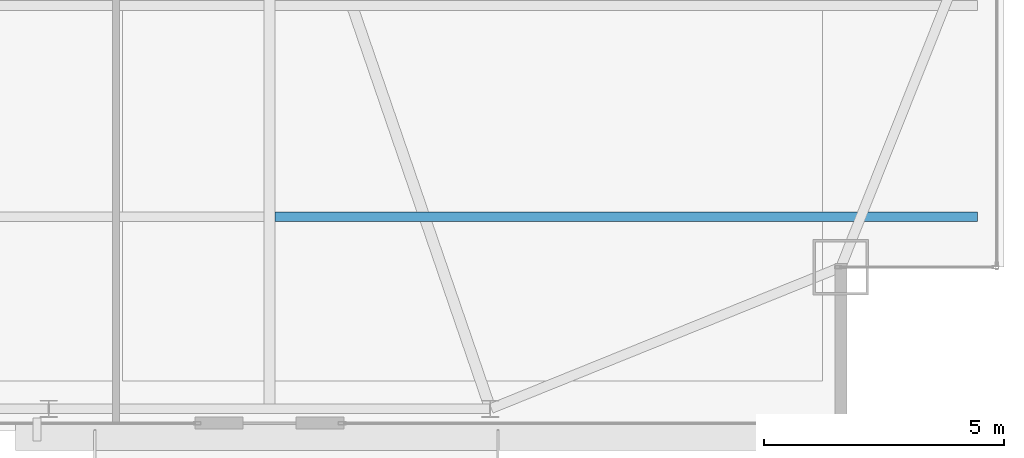
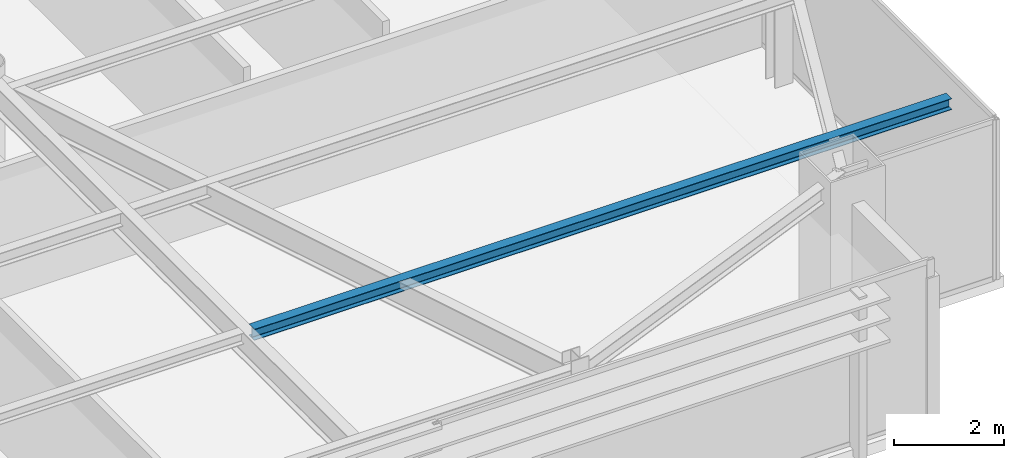
# One storey, part 14 of 30: 1 beam.
"""IFC4 building model written with IfcOpenShell, lengths in metres."""

from ifc_helpers import new_model, si_unit, direction, frame, origin, origin_2d, place, context, subcontext, project, spatial, i_section, extrude, source, transform, mapped, material, material_profile, profile_set, type_object, type_shapes, element, save


model = new_model("IFC4")

# Units and contexts
model_context = context("Model", 3, precision=1e-05, world=origin(), true_north=direction((0.0, 1.0)))
body_context = subcontext(model_context, "Body", "Model", "MODEL_VIEW")
ifc_project = project(units=[si_unit("LENGTHUNIT", "METRE"), si_unit("AREAUNIT", "SQUARE_METRE"), si_unit("VOLUMEUNIT", "CUBIC_METRE"), si_unit("PLANEANGLEUNIT", "RADIAN"), si_unit("MASSUNIT", "GRAM", prefix="KILO")], contexts=[model_context])

# Site, building, storey
site_placement = place(None, origin())
site = spatial("IfcSite", under=ifc_project, at=site_placement, CompositionType="ELEMENT")
building_placement = place(site_placement, origin())
building = spatial("IfcBuilding", under=site, at=building_placement, Name="Varnel Quay Broadcast Tower", CompositionType="ELEMENT")
storey_placement = place(building_placement, frame((0.0, 0.0, 247.0)))
storey = spatial("IfcBuildingStorey", under=building, at=storey_placement, Name="L61", CompositionType="ELEMENT", Elevation=247.0)

# Beam
ifc_material = material(Name="Structural Steel CSA G40.21 350W", Category="steel")
ifc_material_profile = material_profile(ifc_material, i_section(OverallWidth=0.201904296875, OverallDepth=0.2470703125, WebThickness=0.00732421875, FlangeThickness=0.010986328125, FilletRadius=0.010986328125, at=origin_2d()), Name="W250X49")
ifc_profile_set = profile_set([ifc_material_profile], Name="Structural Steel CSA G40.21 350W")
beam_type = type_object("IfcBeamType", Name="Beam_W250X49", PredefinedType="JOIST", material=ifc_profile_set)
shared_shape = source(origin(), body_context, "Body", "SweptSolid", [
    extrude(i_section(OverallWidth=0.201904296875, OverallDepth=0.2470703125, WebThickness=0.00732421875, FlangeThickness=0.010986328125, FilletRadius=0.010986328125, at=origin_2d()), origin(), (0.0, 0.0, 1.0), 14.642333984375),
])
type_shapes(beam_type, [shared_shape])
beam_placement = place(storey_placement, frame((43.31005859375, 14.64990234375, 3.426513671875), z_axis=(1.0, 0.0, 0.0), x_axis=(0.0, 1.0, 0.0)))
element("IfcBeam", 1, at=beam_placement, inside=storey, type_object=beam_type, Name="L61 East Floor Joist 1", PredefinedType="JOIST", context=body_context, shape_type="MappedRepresentation", body=[
    mapped(shared_shape, transform((0.0, 0.0, 0.0), x_axis=(1.0, 0.0, 0.0), y_axis=(0.0, 1.0, 0.0), z_axis=(0.0, 0.0, 1.0), scale=1.0)),
])

save(model, "model.ifc")
